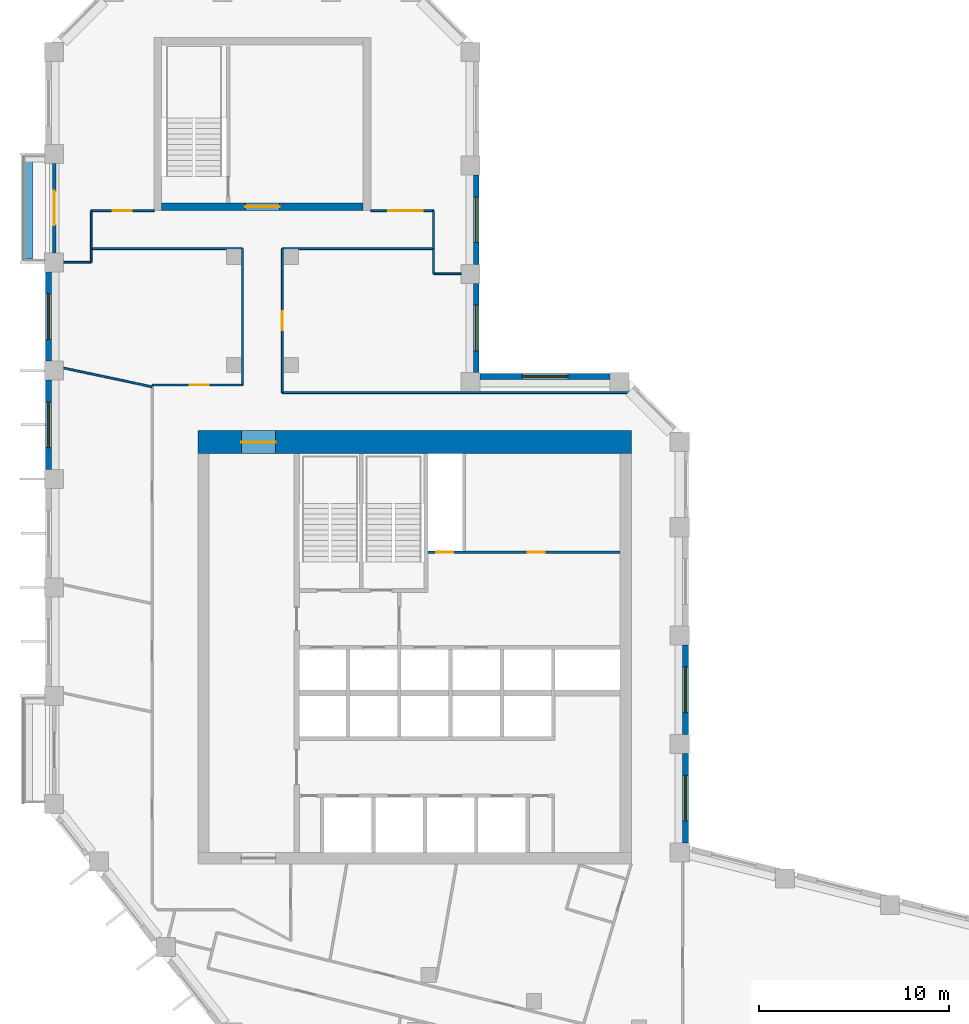
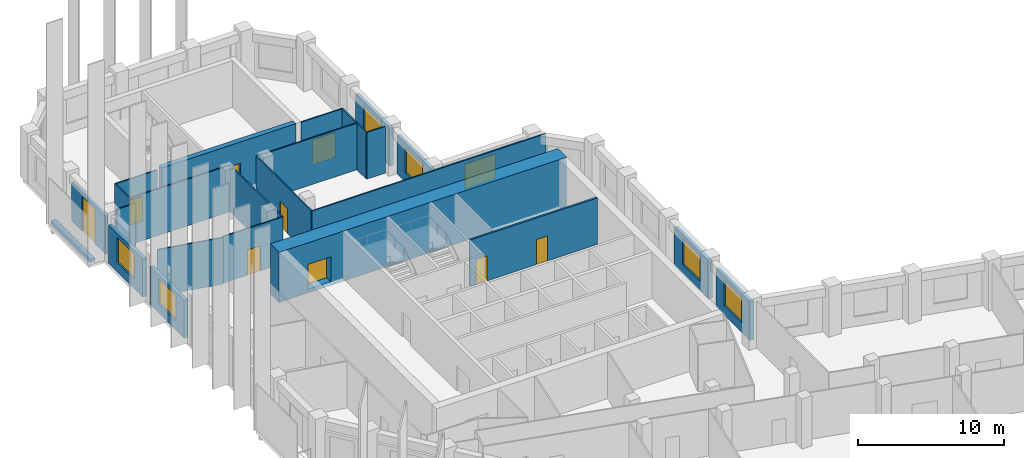
# One storey, part 6 of 9: 27 walls, 9 doors, 7 windows, 16 openings.
"""IFC4 building model written with IfcOpenShell, lengths in metres."""

from ifc_helpers import new_model, si_unit, direction, frame, frame_2d, origin, place, context, subcontext, project, spatial, rectangle, extrude, material, layer, layer_set, type_object, element, fill, save


model = new_model("IFC4")

# Units and contexts
model_context = context("Model", 3, precision=1e-05, world=origin(), true_north=direction((0.0, 1.0)))
body_context = subcontext(model_context, "Body", "Model", "MODEL_VIEW")
ifc_project = project(units=[si_unit("LENGTHUNIT", "METRE"), si_unit("AREAUNIT", "SQUARE_METRE"), si_unit("VOLUMEUNIT", "CUBIC_METRE"), si_unit("PLANEANGLEUNIT", "RADIAN"), si_unit("MASSUNIT", "GRAM", prefix="KILO")], contexts=[model_context])

# Site, building, storey
site_placement = place(None, origin())
site = spatial("IfcSite", under=ifc_project, at=site_placement, CompositionType="ELEMENT")
building_placement = place(site_placement, origin())
building = spatial("IfcBuilding", under=site, at=building_placement, Name="Meshkara Civic Tower", CompositionType="ELEMENT")
storey_placement = place(building_placement, frame((0.0, 0.0, 289.800048828125)))
storey = spatial("IfcBuildingStorey", under=building, at=storey_placement, Name="L66", CompositionType="ELEMENT", Elevation=289.800048828125)

# Wall, openings, doors
ifc_material_1 = material(Name="Blockwork", Category="masonry")
ifc_layer_1 = layer(ifc_material_1, 0.14990234375)
ifc_layer_set_1 = layer_set([ifc_layer_1], Name="Core partition 150")
wall_type_1 = type_object("IfcWallType", Name="Core partition 150", PredefinedType="PARTITIONING", material=ifc_layer_set_1)
wall_1_placement = place(storey_placement, frame((20.10009765625, 30.5, 0.0), z_axis=(0.0, 0.0, 1.0), x_axis=(1.0, 0.0, 0.0)))
wall_1 = element("IfcWall", 1, at=wall_1_placement, inside=storey, type_object=wall_type_1, Name="L66-C010", PredefinedType="PARTITIONING", context=body_context, shape_type="SweptSolid", body=[
    extrude(rectangle(XDim=10.099853515625, YDim=0.14990234375, at=frame_2d((5.0498046875, 0.0))), origin(), (0.0, 0.0, 1.0), 3.89990234375),
])
opening_1_placement = place(wall_1_placement, frame((0.449951171875, 0.0, 0.0)))
opening_1 = element("IfcOpeningElement", 2, at=opening_1_placement, cuts=wall_1, Name="Opening L66-K011", PredefinedType="OPENING", context=body_context, shape_type="SweptSolid", body=[
    extrude(rectangle(XDim=0.89990234375, YDim=2.10009765625, at=frame_2d((0.449951171875, 1.050048828125))), frame((0.0, 0.0849609375, 0.0), z_axis=(0.0, -1.0, 0.0), x_axis=(1.0, 0.0, 0.0)), (0.0, 0.0, 1.0), 0.169921875),
])
opening_2_placement = place(wall_1_placement, frame((5.25, 0.0, 0.0)))
opening_2 = element("IfcOpeningElement", 3, at=opening_2_placement, cuts=wall_1, Name="Opening L66-K012", PredefinedType="OPENING", context=body_context, shape_type="SweptSolid", body=[
    extrude(rectangle(XDim=0.89990234375, YDim=2.10009765625, at=frame_2d((0.449951171875, 1.050048828125))), frame((0.0, 0.0849609375, 0.0), z_axis=(0.0, -1.0, 0.0), x_axis=(1.0, 0.0, 0.0)), (0.0, 0.0, 1.0), 0.169921875),
])
ifc_material_2 = material(Name="Timber door leaf in steel frame", Category="steel")
door_type_1 = type_object("IfcDoorType", Name="Core room door 900", OperationType="SINGLE_SWING_LEFT", PredefinedType="DOOR", material=ifc_material_2)
door_1_placement = place(opening_2_placement, origin())
door_1 = element("IfcDoor", 4, at=door_1_placement, inside=storey, type_object=door_type_1, Name="L66-K012", OperationType="SINGLE_SWING_LEFT", OverallHeight=2.10009765625, OverallWidth=0.89990234375, PredefinedType="DOOR", context=body_context, shape_type="SweptSolid", body=[
    extrude(rectangle(XDim=0.89990234375, YDim=2.10009765625, at=frame_2d((0.449951171875, 1.050048828125))), frame((0.0, 0.02490234375, 0.0), z_axis=(0.0, -1.0, 0.0), x_axis=(1.0, 0.0, 0.0)), (0.0, 0.0, 1.0), 0.050048828125),
])
fill(opening_2, door_1)
ifc_material_3 = material(Name="Fire-rated door leaf in steel frame", Category="steel")
door_type_2 = type_object("IfcDoorType", Name="Riser door 900", OperationType="SINGLE_SWING_LEFT", PredefinedType="DOOR", material=ifc_material_3)
door_2_placement = place(opening_1_placement, origin())
door_2 = element("IfcDoor", 5, at=door_2_placement, inside=storey, type_object=door_type_2, Name="L66-K011", OperationType="SINGLE_SWING_RIGHT", OverallHeight=2.10009765625, OverallWidth=0.89990234375, PredefinedType="DOOR", context=body_context, shape_type="SweptSolid", body=[
    extrude(rectangle(XDim=0.89990234375, YDim=2.10009765625, at=frame_2d((0.449951171875, 1.050048828125))), frame((0.0, 0.02490234375, 0.0), z_axis=(0.0, -1.0, 0.0), x_axis=(1.0, 0.0, 0.0)), (0.0, 0.0, 1.0), 0.050048828125),
])
fill(opening_1, door_2)

# Wall, opening, door
ifc_material_4 = material(Name="Concrete C60", Category="concrete")
ifc_layer_2 = layer(ifc_material_4, 1.199951171875)
ifc_layer_set_2 = layer_set([ifc_layer_2], Name="Core ring wall 1200 C60")
wall_type_2 = type_object("IfcWallType", Name="Core ring wall 1200 C60", PredefinedType="SHEAR", material=ifc_layer_set_2)
wall_2_placement = place(storey_placement, frame((8.0, 36.300048828125, -0.300048828125), z_axis=(0.0, 0.0, 1.0), x_axis=(1.0, 0.0, 0.0)))
wall_2 = element("IfcWall", 6, at=wall_2_placement, inside=storey, type_object=wall_type_2, Name="L66-C002", PredefinedType="SHEAR", context=body_context, shape_type="SweptSolid", body=[
    extrude(rectangle(XDim=22.800048828125, YDim=1.199951171875, at=frame_2d((11.39990234375, 0.0))), origin(), (0.0, 0.0, 1.0), 4.199951171875),
])
opening_3_placement = place(wall_2_placement, frame((2.300048828125, 0.0, 0.300048828125)))
opening_3 = element("IfcOpeningElement", 7, at=opening_3_placement, cuts=wall_2, Name="Opening L66-K018", PredefinedType="OPENING", context=body_context, shape_type="SweptSolid", body=[
    extrude(rectangle(XDim=1.800048828125, YDim=2.10009765625, at=frame_2d((0.89990234375, 1.050048828125))), frame((0.0, 0.60986328125, 0.0), z_axis=(0.0, -1.0, 0.0), x_axis=(1.0, 0.0, 0.0)), (0.0, 0.0, 1.0), 1.219970703125),
])
ifc_material_5 = material(Name="Fire-rated door leaf in steel frame", Category="steel")
door_type_3 = type_object("IfcDoorType", Name="Core double door 1800 EI 60", OperationType="DOUBLE_DOOR_SINGLE_SWING", PredefinedType="DOOR", material=ifc_material_5)
door_3_placement = place(opening_3_placement, origin())
door_3 = element("IfcDoor", 8, at=door_3_placement, inside=storey, type_object=door_type_3, Name="L66-K018", OperationType="DOUBLE_DOOR_SINGLE_SWING", OverallHeight=2.10009765625, OverallWidth=1.800048828125, PredefinedType="DOOR", context=body_context, shape_type="SweptSolid", body=[
    extrude(rectangle(XDim=1.800048828125, YDim=2.10009765625, at=frame_2d((0.89990234375, 1.050048828125))), frame((0.0, 0.02490234375, 0.0), z_axis=(0.0, -1.0, 0.0), x_axis=(1.0, 0.0, 0.0)), (0.0, 0.0, 1.0), 0.050048828125),
])
fill(opening_3, door_3)

# Walls
ifc_material_6 = material(Name="Corridor wall 100")
ifc_layer_3 = layer(ifc_material_6, 0.10009765625)
ifc_layer_set_3 = layer_set([ifc_layer_3], Name="Corridor wall 100")
wall_type_3 = type_object("IfcWallType", Name="Corridor wall 100", PredefinedType="PARTITIONING", material=ifc_layer_set_3)
wall_3_placement = place(storey_placement, frame((2.39990234375, 46.469970703125, 0.0), z_axis=(0.0, 0.0, 1.0), x_axis=(1.0, 0.0, 0.0)))
element("IfcWall", 9, at=wall_3_placement, inside=storey, type_object=wall_type_3, Name="L66-W001", PredefinedType="PARTITIONING", context=body_context, shape_type="SweptSolid", body=[
    extrude(rectangle(XDim=7.9501953125, YDim=0.10009765625, at=frame_2d((3.97509765625, 0.0))), origin(), (0.0, 0.0, 1.0), 3.89990234375),
])
wall_4_placement = place(storey_placement, frame((2.39990234375, 48.469970703125, 0.0), z_axis=(0.0, 0.0, 1.0), x_axis=(0.0, -1.0, 0.0)))
element("IfcWall", 10, at=wall_4_placement, inside=storey, type_object=wall_type_3, Name="L66-W002", PredefinedType="PARTITIONING", context=body_context, shape_type="SweptSolid", body=[
    extrude(rectangle(XDim=2.0, YDim=0.10009765625, at=frame_2d((1.0, 0.0))), origin(), (0.0, 0.0, 1.0), 3.89990234375),
])

# Wall, opening, door
wall_5_placement = place(storey_placement, frame((5.699951171875, 48.469970703125, 0.0), z_axis=(0.0, 0.0, 1.0), x_axis=(-1.0, 0.0, 0.0)))
wall_5 = element("IfcWall", 11, at=wall_5_placement, inside=storey, type_object=wall_type_3, Name="L66-W005", PredefinedType="PARTITIONING", context=body_context, shape_type="SweptSolid", body=[
    extrude(rectangle(XDim=3.300048828125, YDim=0.10009765625, at=frame_2d((1.64990234375, 0.0))), origin(), (0.0, 0.0, 1.0), 3.89990234375),
])
opening_4_placement = place(wall_5_placement, frame((1.179931640625, 0.0, 0.0)))
opening_4 = element("IfcOpeningElement", 12, at=opening_4_placement, cuts=wall_5, Name="Opening L66-D020", PredefinedType="OPENING", context=body_context, shape_type="SweptSolid", body=[
    extrude(rectangle(XDim=1.0, YDim=2.10009765625, at=frame_2d((0.5, 1.050048828125))), frame((0.0, 0.06005859375, 0.0), z_axis=(0.0, -1.0, 0.0), x_axis=(1.0, 0.0, 0.0)), (0.0, 0.0, 1.0), 0.1201171875),
])
ifc_material_7 = material(Name="Door 1000 x 2100")
door_type_4 = type_object("IfcDoorType", Name="Door 1000 x 2100", OperationType="SINGLE_SWING_LEFT", PredefinedType="DOOR", material=ifc_material_7)
door_4_placement = place(opening_4_placement, origin())
door_4 = element("IfcDoor", 13, at=door_4_placement, inside=storey, type_object=door_type_4, Name="L66-D020", OperationType="SINGLE_SWING_LEFT", OverallHeight=2.10009765625, OverallWidth=1.0, PredefinedType="DOOR", context=body_context, shape_type="SweptSolid", body=[
    extrude(rectangle(XDim=1.0, YDim=2.10009765625, at=frame_2d((0.5, 1.050048828125))), frame((0.0, 0.02490234375, 0.0), z_axis=(0.0, -1.0, 0.0), x_axis=(1.0, 0.0, 0.0)), (0.0, 0.0, 1.0), 0.050048828125),
])
fill(opening_4, door_4)

wall_6_placement = place(storey_placement, frame((10.35009765625, 39.300048828125, 0.0), z_axis=(0.0, 0.0, 1.0), x_axis=(-1.0, 0.0, 0.0)))
wall_6 = element("IfcWall", 14, at=wall_6_placement, inside=storey, type_object=wall_type_3, Name="L66-W011", PredefinedType="PARTITIONING", context=body_context, shape_type="SweptSolid", body=[
    extrude(rectangle(XDim=4.75, YDim=0.10009765625, at=frame_2d((2.375, 0.0))), origin(), (0.0, 0.0, 1.0), 3.89990234375),
])
opening_5_placement = place(wall_6_placement, frame((1.780029296875, 0.0, 0.0)))
opening_5 = element("IfcOpeningElement", 15, at=opening_5_placement, cuts=wall_6, Name="Opening L66-D018", PredefinedType="OPENING", context=body_context, shape_type="SweptSolid", body=[
    extrude(rectangle(XDim=1.0, YDim=2.10009765625, at=frame_2d((0.5, 1.050048828125))), frame((0.0, 0.06005859375, 0.0), z_axis=(0.0, -1.0, 0.0), x_axis=(1.0, 0.0, 0.0)), (0.0, 0.0, 1.0), 0.1201171875),
])
door_5_placement = place(opening_5_placement, origin())
door_5 = element("IfcDoor", 16, at=door_5_placement, inside=storey, type_object=door_type_4, Name="L66-D018", OperationType="SINGLE_SWING_RIGHT", OverallHeight=2.10009765625, OverallWidth=1.0, PredefinedType="DOOR", context=body_context, shape_type="SweptSolid", body=[
    extrude(rectangle(XDim=1.0, YDim=2.10009765625, at=frame_2d((0.5, 1.050048828125))), frame((0.0, 0.02490234375, 0.0), z_axis=(0.0, -1.0, 0.0), x_axis=(1.0, 0.0, 0.0)), (0.0, 0.0, 1.0), 0.050048828125),
])
fill(opening_5, door_5)

# Wall
wall_7_placement = place(storey_placement, frame((10.35009765625, 46.469970703125, 0.0), z_axis=(0.0, 0.0, 1.0), x_axis=(0.0, -1.0, 0.0)))
element("IfcWall", 17, at=wall_7_placement, inside=storey, type_object=wall_type_3, Name="L66-W012", PredefinedType="PARTITIONING", context=body_context, shape_type="SweptSolid", body=[
    extrude(rectangle(XDim=7.169921875, YDim=0.10009765625, at=frame_2d((3.5849609375, 0.0))), origin(), (0.0, 0.0, 1.0), 3.89990234375),
])

# Wall, opening, door
wall_8_placement = place(storey_placement, frame((12.449951171875, 38.89990234375, 0.0), z_axis=(0.0, 0.0, 1.0), x_axis=(0.0, 1.0, 0.0)))
wall_8 = element("IfcWall", 18, at=wall_8_placement, inside=storey, type_object=wall_type_3, Name="L66-W013", PredefinedType="PARTITIONING", context=body_context, shape_type="SweptSolid", body=[
    extrude(rectangle(XDim=7.570068359375, YDim=0.10009765625, at=frame_2d((3.78515625, 0.0))), origin(), (0.0, 0.0, 1.0), 3.89990234375),
])
opening_6_placement = place(wall_8_placement, frame((3.280029296875, 0.0, 0.0)))
opening_6 = element("IfcOpeningElement", 19, at=opening_6_placement, cuts=wall_8, Name="Opening L66-D019", PredefinedType="OPENING", context=body_context, shape_type="SweptSolid", body=[
    extrude(rectangle(XDim=1.0, YDim=2.10009765625, at=frame_2d((0.5, 1.050048828125))), frame((0.0, 0.06005859375, 0.0), z_axis=(0.0, -1.0, 0.0), x_axis=(1.0, 0.0, 0.0)), (0.0, 0.0, 1.0), 0.1201171875),
])
door_6_placement = place(opening_6_placement, origin())
door_6 = element("IfcDoor", 20, at=door_6_placement, inside=storey, type_object=door_type_4, Name="L66-D019", OperationType="SINGLE_SWING_RIGHT", OverallHeight=2.10009765625, OverallWidth=1.0, PredefinedType="DOOR", context=body_context, shape_type="SweptSolid", body=[
    extrude(rectangle(XDim=1.0, YDim=2.10009765625, at=frame_2d((0.5, 1.050048828125))), frame((0.0, 0.02490234375, 0.0), z_axis=(0.0, -1.0, 0.0), x_axis=(1.0, 0.0, 0.0)), (0.0, 0.0, 1.0), 0.050048828125),
])
fill(opening_6, door_6)

# Walls
wall_9_placement = place(storey_placement, frame((12.449951171875, 46.469970703125, 0.0), z_axis=(0.0, 0.0, 1.0), x_axis=(1.0, 0.0, 0.0)))
element("IfcWall", 21, at=wall_9_placement, inside=storey, type_object=wall_type_3, Name="L66-W014", PredefinedType="PARTITIONING", context=body_context, shape_type="SweptSolid", body=[
    extrude(rectangle(XDim=7.949951171875, YDim=0.10009765625, at=frame_2d((3.97509765625, 0.0))), origin(), (0.0, 0.0, 1.0), 3.89990234375),
])
wall_10_placement = place(storey_placement, frame((20.39990234375, 46.469970703125, 0.0), z_axis=(0.0, 0.0, 1.0), x_axis=(0.0, 1.0, 0.0)))
element("IfcWall", 22, at=wall_10_placement, inside=storey, type_object=wall_type_3, Name="L66-W016", PredefinedType="PARTITIONING", context=body_context, shape_type="SweptSolid", body=[
    extrude(rectangle(XDim=2.0, YDim=0.10009765625, at=frame_2d((1.0, 0.0))), origin(), (0.0, 0.0, 1.0), 3.89990234375),
])

# Wall, opening, door
wall_11_placement = place(storey_placement, frame((20.39990234375, 48.469970703125, 0.0), z_axis=(0.0, 0.0, 1.0), x_axis=(-1.0, 0.0, 0.0)))
wall_11 = element("IfcWall", 23, at=wall_11_placement, inside=storey, type_object=wall_type_3, Name="L66-W017", PredefinedType="PARTITIONING", context=body_context, shape_type="SweptSolid", body=[
    extrude(rectangle(XDim=3.2998046875, YDim=0.10009765625, at=frame_2d((1.64990234375, 0.0))), origin(), (0.0, 0.0, 1.0), 3.89990234375),
])
opening_7_placement = place(wall_11_placement, frame((0.580078125, 0.0, 0.0)))
opening_7 = element("IfcOpeningElement", 24, at=opening_7_placement, cuts=wall_11, Name="Opening L66-D021", PredefinedType="OPENING", context=body_context, shape_type="SweptSolid", body=[
    extrude(rectangle(XDim=1.800048828125, YDim=2.10009765625, at=frame_2d((0.89990234375, 1.050048828125))), frame((0.0, 0.06005859375, 0.0), z_axis=(0.0, -1.0, 0.0), x_axis=(1.0, 0.0, 0.0)), (0.0, 0.0, 1.0), 0.1201171875),
])
ifc_material_8 = material(Name="Door pair 1800 x 2100")
door_type_5 = type_object("IfcDoorType", Name="Door pair 1800 x 2100", OperationType="SINGLE_SWING_LEFT", PredefinedType="DOOR", material=ifc_material_8)
door_7_placement = place(opening_7_placement, origin())
door_7 = element("IfcDoor", 25, at=door_7_placement, inside=storey, type_object=door_type_5, Name="L66-D021", OperationType="DOUBLE_DOOR_SINGLE_SWING", OverallHeight=2.10009765625, OverallWidth=1.800048828125, PredefinedType="DOOR", context=body_context, shape_type="SweptSolid", body=[
    extrude(rectangle(XDim=1.800048828125, YDim=2.10009765625, at=frame_2d((0.89990234375, 1.050048828125))), frame((0.0, 0.02490234375, 0.0), z_axis=(0.0, -1.0, 0.0), x_axis=(1.0, 0.0, 0.0)), (0.0, 0.0, 1.0), 0.050048828125),
])
fill(opening_7, door_7)

# Wall
wall_12_placement = place(storey_placement, frame((30.9560546875, 38.89990234375, 0.0), z_axis=(0.0, 0.0, 1.0), x_axis=(-1.0, 0.0, 0.0)))
element("IfcWall", 26, at=wall_12_placement, inside=storey, type_object=wall_type_3, Name="L66-W019", PredefinedType="PARTITIONING", context=body_context, shape_type="SweptSolid", body=[
    extrude(rectangle(XDim=18.506103515625, YDim=0.10009765625, at=frame_2d((9.2529296875, 0.0))), origin(), (0.0, 0.0, 1.0), 3.89990234375),
])

# Wall, opening, window
ifc_material_9 = material(Name="Insulated infill panel with bronze anodised aluminium cladding", Category="aluminium")
ifc_layer_4 = layer(ifc_material_9, 0.300048828125)
ifc_layer_set_4 = layer_set([ifc_layer_4], Name="EXTERNAL INFILL WALL 300")
wall_type_4 = type_object("IfcWallType", Name="EXTERNAL INFILL WALL 300", PredefinedType="SOLIDWALL", material=ifc_layer_set_4)
wall_13_placement = place(storey_placement, frame((33.64990234375, 15.218994140625, 0.0), z_axis=(0.0, 0.0, 1.0), x_axis=(0.0, 1.0, 0.0)))
wall_13 = element("IfcWall", 27, at=wall_13_placement, inside=storey, type_object=wall_type_4, Name="External wall", PredefinedType="SOLIDWALL", context=body_context, shape_type="SweptSolid", body=[
    extrude(rectangle(XDim=4.699951171875, YDim=0.300048828125, at=frame_2d((2.35009765625, 0.0))), origin(), (0.0, 0.0, 1.0), 3.199951171875),
])
opening_8_placement = place(wall_13_placement, frame((1.14990234375, 0.0, 0.800048828125)))
opening_8 = element("IfcOpeningElement", 28, at=opening_8_placement, cuts=wall_13, Name="Opening W7", PredefinedType="OPENING", context=body_context, shape_type="SweptSolid", body=[
    extrude(rectangle(XDim=2.39990234375, YDim=2.10009765625, at=frame_2d((1.199951171875, 1.050048828125))), frame((0.0, 0.159912109375, 0.0), z_axis=(0.0, -1.0, 0.0), x_axis=(1.0, 0.0, 0.0)), (0.0, 0.0, 1.0), 0.320068359375),
])
ifc_material_10 = material(Name="Tinted double glazing", Category="glass")
window_type = type_object("IfcWindowType", Name="WINDOW 2400x2100", PartitioningType="DOUBLE_PANEL_VERTICAL", PredefinedType="WINDOW", material=ifc_material_10)
window_1_placement = place(opening_8_placement, origin())
window_1 = element("IfcWindow", 29, at=window_1_placement, inside=storey, type_object=window_type, Name="Window", OverallHeight=2.10009765625, OverallWidth=2.39990234375, PartitioningType="DOUBLE_PANEL_VERTICAL", PredefinedType="WINDOW", context=body_context, shape_type="SweptSolid", body=[
    extrude(rectangle(XDim=2.39990234375, YDim=2.10009765625, at=frame_2d((1.199951171875, 1.050048828125))), frame((0.0, 0.030029296875, 0.0), z_axis=(0.0, -1.0, 0.0), x_axis=(1.0, 0.0, 0.0)), (0.0, 0.0, 1.0), 0.06005859375),
])
fill(opening_8, window_1)

wall_14_placement = place(storey_placement, frame((33.64990234375, 20.9189453125, 0.0), z_axis=(0.0, 0.0, 1.0), x_axis=(0.0, 1.0, 0.0)))
wall_14 = element("IfcWall", 30, at=wall_14_placement, inside=storey, type_object=wall_type_4, Name="External wall", PredefinedType="SOLIDWALL", context=body_context, shape_type="SweptSolid", body=[
    extrude(rectangle(XDim=4.699951171875, YDim=0.300048828125, at=frame_2d((2.35009765625, 0.0))), origin(), (0.0, 0.0, 1.0), 3.199951171875),
])
opening_9_placement = place(wall_14_placement, frame((1.14990234375, 0.0, 0.800048828125)))
opening_9 = element("IfcOpeningElement", 31, at=opening_9_placement, cuts=wall_14, Name="Opening W7", PredefinedType="OPENING", context=body_context, shape_type="SweptSolid", body=[
    extrude(rectangle(XDim=2.39990234375, YDim=2.10009765625, at=frame_2d((1.199951171875, 1.050048828125))), frame((0.0, 0.159912109375, 0.0), z_axis=(0.0, -1.0, 0.0), x_axis=(1.0, 0.0, 0.0)), (0.0, 0.0, 1.0), 0.320068359375),
])
window_2_placement = place(opening_9_placement, origin())
window_2 = element("IfcWindow", 32, at=window_2_placement, inside=storey, type_object=window_type, Name="Window", OverallHeight=2.10009765625, OverallWidth=2.39990234375, PartitioningType="DOUBLE_PANEL_VERTICAL", PredefinedType="WINDOW", context=body_context, shape_type="SweptSolid", body=[
    extrude(rectangle(XDim=2.39990234375, YDim=2.10009765625, at=frame_2d((1.199951171875, 1.050048828125))), frame((0.0, 0.030029296875, 0.0), z_axis=(0.0, -1.0, 0.0), x_axis=(1.0, 0.0, 0.0)), (0.0, 0.0, 1.0), 0.06005859375),
])
fill(opening_9, window_2)

wall_15_placement = place(storey_placement, frame((29.694091796875, 39.75, 0.0), z_axis=(0.0, 0.0, 1.0), x_axis=(-1.0, 0.0, 0.0)))
wall_15 = element("IfcWall", 33, at=wall_15_placement, inside=storey, type_object=wall_type_4, Name="External wall", PredefinedType="SOLIDWALL", context=body_context, shape_type="SweptSolid", body=[
    extrude(rectangle(XDim=6.843994140625, YDim=0.300048828125, at=frame_2d((3.421875, 0.0))), origin(), (0.0, 0.0, 1.0), 3.199951171875),
])
opening_10_placement = place(wall_15_placement, frame((2.221923828125, 0.0, 0.800048828125)))
opening_10 = element("IfcOpeningElement", 34, at=opening_10_placement, cuts=wall_15, Name="Opening W7", PredefinedType="OPENING", context=body_context, shape_type="SweptSolid", body=[
    extrude(rectangle(XDim=2.39990234375, YDim=2.10009765625, at=frame_2d((1.199951171875, 1.050048828125))), frame((0.0, 0.159912109375, 0.0), z_axis=(0.0, -1.0, 0.0), x_axis=(1.0, 0.0, 0.0)), (0.0, 0.0, 1.0), 0.320068359375),
])
window_3_placement = place(opening_10_placement, origin())
window_3 = element("IfcWindow", 35, at=window_3_placement, inside=storey, type_object=window_type, Name="Window", OverallHeight=2.10009765625, OverallWidth=2.39990234375, PartitioningType="DOUBLE_PANEL_VERTICAL", PredefinedType="WINDOW", context=body_context, shape_type="SweptSolid", body=[
    extrude(rectangle(XDim=2.39990234375, YDim=2.10009765625, at=frame_2d((1.199951171875, 1.050048828125))), frame((0.0, 0.030029296875, 0.0), z_axis=(0.0, -1.0, 0.0), x_axis=(1.0, 0.0, 0.0)), (0.0, 0.0, 1.0), 0.06005859375),
])
fill(opening_10, window_3)

wall_16_placement = place(storey_placement, frame((22.64990234375, 39.949951171875, 0.0), z_axis=(0.0, 0.0, 1.0), x_axis=(0.0, 1.0, 0.0)))
wall_16 = element("IfcWall", 36, at=wall_16_placement, inside=storey, type_object=wall_type_4, Name="External wall", PredefinedType="SOLIDWALL", context=body_context, shape_type="SweptSolid", body=[
    extrude(rectangle(XDim=4.699951171875, YDim=0.300048828125, at=frame_2d((2.35009765625, 0.0))), origin(), (0.0, 0.0, 1.0), 3.199951171875),
])
opening_11_placement = place(wall_16_placement, frame((1.14990234375, 0.0, 0.800048828125)))
opening_11 = element("IfcOpeningElement", 37, at=opening_11_placement, cuts=wall_16, Name="Opening W7", PredefinedType="OPENING", context=body_context, shape_type="SweptSolid", body=[
    extrude(rectangle(XDim=2.39990234375, YDim=2.10009765625, at=frame_2d((1.199951171875, 1.050048828125))), frame((0.0, 0.159912109375, 0.0), z_axis=(0.0, -1.0, 0.0), x_axis=(1.0, 0.0, 0.0)), (0.0, 0.0, 1.0), 0.320068359375),
])
window_4_placement = place(opening_11_placement, origin())
window_4 = element("IfcWindow", 38, at=window_4_placement, inside=storey, type_object=window_type, Name="Window", OverallHeight=2.10009765625, OverallWidth=2.39990234375, PartitioningType="DOUBLE_PANEL_VERTICAL", PredefinedType="WINDOW", context=body_context, shape_type="SweptSolid", body=[
    extrude(rectangle(XDim=2.39990234375, YDim=2.10009765625, at=frame_2d((1.199951171875, 1.050048828125))), frame((0.0, 0.030029296875, 0.0), z_axis=(0.0, -1.0, 0.0), x_axis=(1.0, 0.0, 0.0)), (0.0, 0.0, 1.0), 0.06005859375),
])
fill(opening_11, window_4)

wall_17_placement = place(storey_placement, frame((22.64990234375, 45.64990234375, 0.0), z_axis=(0.0, 0.0, 1.0), x_axis=(0.0, 1.0, 0.0)))
wall_17 = element("IfcWall", 39, at=wall_17_placement, inside=storey, type_object=wall_type_4, Name="External wall", PredefinedType="SOLIDWALL", context=body_context, shape_type="SweptSolid", body=[
    extrude(rectangle(XDim=4.7001953125, YDim=0.300048828125, at=frame_2d((2.35009765625, 0.0))), origin(), (0.0, 0.0, 1.0), 3.199951171875),
])
opening_12_placement = place(wall_17_placement, frame((1.14990234375, 0.0, 0.800048828125)))
opening_12 = element("IfcOpeningElement", 40, at=opening_12_placement, cuts=wall_17, Name="Opening W7", PredefinedType="OPENING", context=body_context, shape_type="SweptSolid", body=[
    extrude(rectangle(XDim=2.39990234375, YDim=2.10009765625, at=frame_2d((1.199951171875, 1.050048828125))), frame((0.0, 0.159912109375, 0.0), z_axis=(0.0, -1.0, 0.0), x_axis=(1.0, 0.0, 0.0)), (0.0, 0.0, 1.0), 0.320068359375),
])
window_5_placement = place(opening_12_placement, origin())
window_5 = element("IfcWindow", 41, at=window_5_placement, inside=storey, type_object=window_type, Name="Window", OverallHeight=2.10009765625, OverallWidth=2.39990234375, PartitioningType="DOUBLE_PANEL_VERTICAL", PredefinedType="WINDOW", context=body_context, shape_type="SweptSolid", body=[
    extrude(rectangle(XDim=2.39990234375, YDim=2.10009765625, at=frame_2d((1.199951171875, 1.050048828125))), frame((0.0, 0.030029296875, 0.0), z_axis=(0.0, -1.0, 0.0), x_axis=(1.0, 0.0, 0.0)), (0.0, 0.0, 1.0), 0.06005859375),
])
fill(opening_12, window_5)

wall_18_placement = place(storey_placement, frame((0.14990234375, 45.2548828125, 0.0), z_axis=(0.0, 0.0, 1.0), x_axis=(0.0, -1.0, 0.0)))
wall_18 = element("IfcWall", 42, at=wall_18_placement, inside=storey, type_object=wall_type_4, Name="External wall", PredefinedType="SOLIDWALL", context=body_context, shape_type="SweptSolid", body=[
    extrude(rectangle(XDim=4.699951171875, YDim=0.300048828125, at=frame_2d((2.35009765625, 0.0))), origin(), (0.0, 0.0, 1.0), 3.199951171875),
])
opening_13_placement = place(wall_18_placement, frame((1.14990234375, 0.0, 0.800048828125)))
opening_13 = element("IfcOpeningElement", 43, at=opening_13_placement, cuts=wall_18, Name="Opening W7", PredefinedType="OPENING", context=body_context, shape_type="SweptSolid", body=[
    extrude(rectangle(XDim=2.39990234375, YDim=2.10009765625, at=frame_2d((1.199951171875, 1.050048828125))), frame((0.0, 0.159912109375, 0.0), z_axis=(0.0, -1.0, 0.0), x_axis=(1.0, 0.0, 0.0)), (0.0, 0.0, 1.0), 0.320068359375),
])
window_6_placement = place(opening_13_placement, origin())
window_6 = element("IfcWindow", 44, at=window_6_placement, inside=storey, type_object=window_type, Name="Window", OverallHeight=2.10009765625, OverallWidth=2.39990234375, PartitioningType="DOUBLE_PANEL_VERTICAL", PredefinedType="WINDOW", context=body_context, shape_type="SweptSolid", body=[
    extrude(rectangle(XDim=2.39990234375, YDim=2.10009765625, at=frame_2d((1.199951171875, 1.050048828125))), frame((0.0, 0.030029296875, 0.0), z_axis=(0.0, -1.0, 0.0), x_axis=(1.0, 0.0, 0.0)), (0.0, 0.0, 1.0), 0.06005859375),
])
fill(opening_13, window_6)

wall_19_placement = place(storey_placement, frame((0.14990234375, 39.554931640625, 0.0), z_axis=(0.0, 0.0, 1.0), x_axis=(0.0, -1.0, 0.0)))
wall_19 = element("IfcWall", 45, at=wall_19_placement, inside=storey, type_object=wall_type_4, Name="External wall", PredefinedType="SOLIDWALL", context=body_context, shape_type="SweptSolid", body=[
    extrude(rectangle(XDim=4.699951171875, YDim=0.300048828125, at=frame_2d((2.35009765625, 0.0))), origin(), (0.0, 0.0, 1.0), 3.199951171875),
])
opening_14_placement = place(wall_19_placement, frame((1.14990234375, 0.0, 0.800048828125)))
opening_14 = element("IfcOpeningElement", 46, at=opening_14_placement, cuts=wall_19, Name="Opening W7", PredefinedType="OPENING", context=body_context, shape_type="SweptSolid", body=[
    extrude(rectangle(XDim=2.39990234375, YDim=2.10009765625, at=frame_2d((1.199951171875, 1.050048828125))), frame((0.0, 0.159912109375, 0.0), z_axis=(0.0, -1.0, 0.0), x_axis=(1.0, 0.0, 0.0)), (0.0, 0.0, 1.0), 0.320068359375),
])
window_7_placement = place(opening_14_placement, origin())
window_7 = element("IfcWindow", 47, at=window_7_placement, inside=storey, type_object=window_type, Name="Window", OverallHeight=2.10009765625, OverallWidth=2.39990234375, PartitioningType="DOUBLE_PANEL_VERTICAL", PredefinedType="WINDOW", context=body_context, shape_type="SweptSolid", body=[
    extrude(rectangle(XDim=2.39990234375, YDim=2.10009765625, at=frame_2d((1.199951171875, 1.050048828125))), frame((0.0, 0.030029296875, 0.0), z_axis=(0.0, -1.0, 0.0), x_axis=(1.0, 0.0, 0.0)), (0.0, 0.0, 1.0), 0.06005859375),
])
fill(opening_14, window_7)

# Wall, opening, door
ifc_material_11 = material(Name="Concrete C60", Category="concrete")
ifc_layer_5 = layer(ifc_material_11, 0.39990234375)
ifc_layer_set_5 = layer_set([ifc_layer_5], Name="End core ring wall 400 C60")
wall_type_5 = type_object("IfcWallType", Name="End core ring wall 400 C60", PredefinedType="SHEAR", material=ifc_layer_set_5)
wall_20_placement = place(storey_placement, frame((6.10009765625, 48.669921875, -0.300048828125), z_axis=(0.0, 0.0, 1.0), x_axis=(1.0, 0.0, 0.0)))
wall_20 = element("IfcWall", 48, at=wall_20_placement, inside=storey, type_object=wall_type_5, Name="L66-C028", PredefinedType="SHEAR", context=body_context, shape_type="SweptSolid", body=[
    extrude(rectangle(XDim=10.599853515625, YDim=0.39990234375, at=frame_2d((5.2998046875, 0.0))), origin(), (0.0, 0.0, 1.0), 4.199951171875),
])
opening_15_placement = place(wall_20_placement, frame((4.39990234375, 0.0, 0.300048828125)))
opening_15 = element("IfcOpeningElement", 49, at=opening_15_placement, cuts=wall_20, Name="Opening L66-K102", PredefinedType="OPENING", context=body_context, shape_type="SweptSolid", body=[
    extrude(rectangle(XDim=1.800048828125, YDim=2.10009765625, at=frame_2d((0.89990234375, 1.050048828125))), frame((0.0, 0.2099609375, 0.0), z_axis=(0.0, -1.0, 0.0), x_axis=(1.0, 0.0, 0.0)), (0.0, 0.0, 1.0), 0.419921875),
])
door_8_placement = place(opening_15_placement, origin())
door_8 = element("IfcDoor", 50, at=door_8_placement, inside=storey, type_object=door_type_3, Name="L66-K102", OperationType="DOUBLE_DOOR_SINGLE_SWING", OverallHeight=2.10009765625, OverallWidth=1.800048828125, PredefinedType="DOOR", context=body_context, shape_type="SweptSolid", body=[
    extrude(rectangle(XDim=1.800048828125, YDim=2.10009765625, at=frame_2d((0.89990234375, 1.050048828125))), frame((0.0, 0.02490234375, 0.0), z_axis=(0.0, -1.0, 0.0), x_axis=(1.0, 0.0, 0.0)), (0.0, 0.0, 1.0), 0.050048828125),
])
fill(opening_15, door_8)

ifc_material_12 = material(Name="Insulated infill panel with bronze anodised aluminium cladding", Category="aluminium")
ifc_layer_6 = layer(ifc_material_12, 0.199951171875)
ifc_layer_set_6 = layer_set([ifc_layer_6], Name="LOGGIA BACK WALL 200")
wall_type_6 = type_object("IfcWallType", Name="LOGGIA BACK WALL 200", PredefinedType="SOLIDWALL", material=ifc_layer_set_6)
wall_21_placement = place(storey_placement, frame((0.449951171875, 50.9541015625, 0.0), z_axis=(0.0, 0.0, 1.0), x_axis=(0.0, -1.0, 0.0)))
wall_21 = element("IfcWall", 51, at=wall_21_placement, inside=storey, type_object=wall_type_6, Name="Loggia wall", PredefinedType="SOLIDWALL", context=body_context, shape_type="SweptSolid", body=[
    extrude(rectangle(XDim=4.697998046875, YDim=0.199951171875, at=frame_2d((2.34912109375, 0.0))), origin(), (0.0, 0.0, 1.0), 3.199951171875),
])
opening_16_placement = place(wall_21_placement, frame((1.448974609375, 0.0, 0.0)))
opening_16 = element("IfcOpeningElement", 52, at=opening_16_placement, cuts=wall_21, Name="Opening L66-L001", PredefinedType="OPENING", context=body_context, shape_type="SweptSolid", body=[
    extrude(rectangle(XDim=1.800048828125, YDim=2.89990234375, at=frame_2d((0.89990234375, 1.449951171875))), frame((0.0, 0.10986328125, 0.0), z_axis=(0.0, -1.0, 0.0), x_axis=(1.0, 0.0, 0.0)), (0.0, 0.0, 1.0), 0.219970703125),
])
ifc_material_13 = material(Name="Tinted double glazing", Category="glass")
door_type_6 = type_object("IfcDoorType", Name="LOGGIA DOOR 1800x2900", OperationType="DOUBLE_DOOR_SINGLE_SWING", PredefinedType="DOOR", material=ifc_material_13)
door_9_placement = place(opening_16_placement, origin())
door_9 = element("IfcDoor", 53, at=door_9_placement, inside=storey, type_object=door_type_6, Name="L66-L001", OperationType="DOUBLE_DOOR_SINGLE_SWING", OverallHeight=2.89990234375, OverallWidth=1.800048828125, PredefinedType="DOOR", context=body_context, shape_type="SweptSolid", body=[
    extrude(rectangle(XDim=1.800048828125, YDim=2.89990234375, at=frame_2d((0.89990234375, 1.449951171875))), frame((0.0, 0.02490234375, 0.0), z_axis=(0.0, -1.0, 0.0), x_axis=(1.0, 0.0, 0.0)), (0.0, 0.0, 1.0), 0.050048828125),
])
fill(opening_16, door_9)

# Walls
ifc_material_14 = material(Name="Concrete C40", Category="concrete")
ifc_layer_7 = layer(ifc_material_14, 0.39990234375)
ifc_layer_set_7 = layer_set([ifc_layer_7], Name="PLANTER TRAY")
wall_type_7 = type_object("IfcWallType", Name="PLANTER TRAY", PredefinedType="SOLIDWALL", material=ifc_layer_set_7)
wall_22_placement = place(storey_placement, frame((-0.8798828125, 51.284912109375, 0.0), z_axis=(0.0, 0.0, 1.0), x_axis=(0.0, -1.0, 0.0)))
element("IfcWall", 54, at=wall_22_placement, inside=storey, type_object=wall_type_7, Name="Planter", PredefinedType="SOLIDWALL", context=body_context, shape_type="SweptSolid", body=[
    extrude(rectangle(XDim=5.35986328125, YDim=0.39990234375, at=frame_2d((2.679931640625, 0.0))), origin(), (0.0, 0.0, 1.0), 0.300048828125),
])
ifc_material_15 = material(Name="Partition 100")
ifc_layer_8 = layer(ifc_material_15, 0.10009765625)
ifc_layer_set_8 = layer_set([ifc_layer_8], Name="Partition 100")
wall_type_8 = type_object("IfcWallType", Name="Partition 100", PredefinedType="PARTITIONING", material=ifc_layer_set_8)
wall_23_placement = place(storey_placement, frame((2.39990234375, 45.7548828125, 0.0), z_axis=(0.0, 0.0, 1.0), x_axis=(-1.0, 0.0, 0.0)))
element("IfcWall", 55, at=wall_23_placement, inside=storey, type_object=wall_type_8, Name="L66-W034", PredefinedType="PARTITIONING", context=body_context, shape_type="SweptSolid", body=[
    extrude(rectangle(XDim=1.449951171875, YDim=0.10009765625, at=frame_2d((0.72509765625, 0.0))), origin(), (0.0, 0.0, 1.0), 3.89990234375),
])
wall_24_placement = place(storey_placement, frame((2.39990234375, 46.47412109375, 0.0), z_axis=(0.0, 0.0, 1.0), x_axis=(0.0, -1.0, 0.0)))
element("IfcWall", 56, at=wall_24_placement, inside=storey, type_object=wall_type_8, Name="L66-W035", PredefinedType="PARTITIONING", context=body_context, shape_type="SweptSolid", body=[
    extrude(rectangle(XDim=0.71923828125, YDim=0.10009765625, at=frame_2d((0.359619140625, 0.0))), origin(), (0.0, 0.0, 1.0), 3.89990234375),
])
wall_25_placement = place(storey_placement, frame((5.60009765625, 39.205078125, 0.0), z_axis=(0.0, 0.0, 1.0), x_axis=(-0.9781221615, 0.208031337021, 0.0)))
element("IfcWall", 57, at=wall_25_placement, inside=storey, type_object=wall_type_8, Name="L66-W038", PredefinedType="PARTITIONING", context=body_context, shape_type="SweptSolid", body=[
    extrude(rectangle(XDim=4.754150390625, YDim=0.10009765625, at=frame_2d((2.376953125, 0.0))), origin(), (0.0, 0.0, 1.0), 3.89990234375),
])
wall_26_placement = place(storey_placement, frame((20.39990234375, 45.14990234375, 0.0), z_axis=(0.0, 0.0, 1.0), x_axis=(0.0, 1.0, 0.0)))
element("IfcWall", 58, at=wall_26_placement, inside=storey, type_object=wall_type_8, Name="L66-W043", PredefinedType="PARTITIONING", context=body_context, shape_type="SweptSolid", body=[
    extrude(rectangle(XDim=1.32421875, YDim=0.10009765625, at=frame_2d((0.662109375, 0.0))), origin(), (0.0, 0.0, 1.0), 3.89990234375),
])
wall_27_placement = place(storey_placement, frame((21.85009765625, 45.14990234375, 0.0), z_axis=(0.0, 0.0, 1.0), x_axis=(-1.0, 0.0, 0.0)))
element("IfcWall", 59, at=wall_27_placement, inside=storey, type_object=wall_type_8, Name="L66-W045", PredefinedType="PARTITIONING", context=body_context, shape_type="SweptSolid", body=[
    extrude(rectangle(XDim=1.4501953125, YDim=0.10009765625, at=frame_2d((0.72509765625, 0.0))), origin(), (0.0, 0.0, 1.0), 3.89990234375),
])

save(model, "model.ifc")
